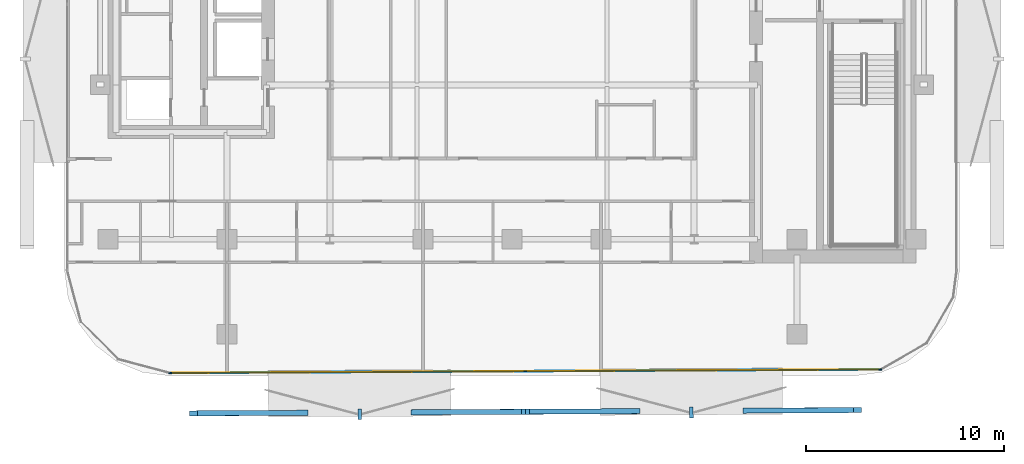
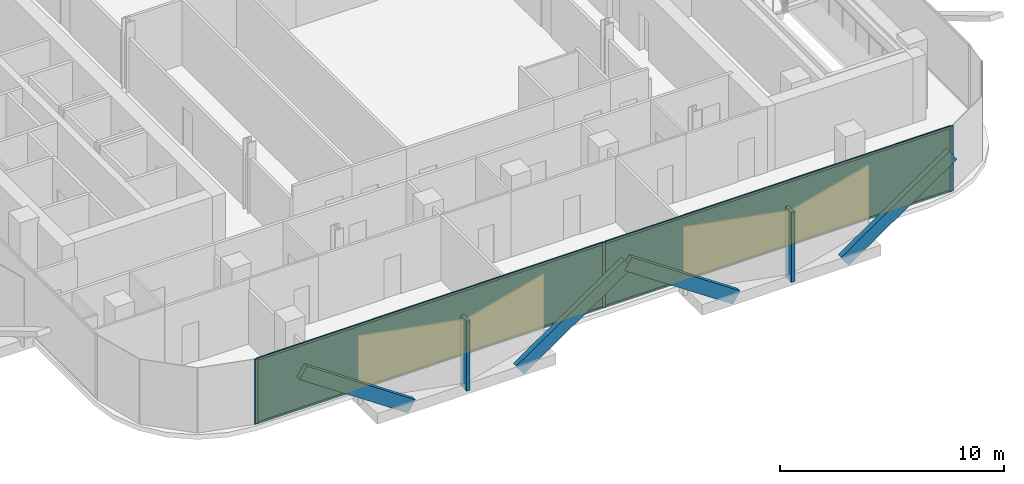
# One storey, part 9 of 17: 13 members, 2 plates, 1 curtain wall.
"""IFC4 building model written with IfcOpenShell, lengths in metres."""

from ifc_helpers import new_model, si_unit, direction, frame, frame_2d, origin, origin_2d, place, context, subcontext, project, spatial, rectangle, extrude, material, layer, layer_set, material_profile, profile_set, type_object, element, aggregate, save


model = new_model("IFC4")

# Units and contexts
model_context = context("Model", 3, precision=1e-05, world=origin(), true_north=direction((0.0, 1.0)))
body_context = subcontext(model_context, "Body", "Model", "MODEL_VIEW")
ifc_project = project(units=[si_unit("LENGTHUNIT", "METRE"), si_unit("AREAUNIT", "SQUARE_METRE"), si_unit("VOLUMEUNIT", "CUBIC_METRE"), si_unit("PLANEANGLEUNIT", "RADIAN"), si_unit("MASSUNIT", "GRAM", prefix="KILO")], contexts=[model_context])

# Member
ifc_material_1 = material(Name="Anodised Bronze Aluminium 6063-T6", Category="aluminium")
ifc_material_profile_1 = material_profile(ifc_material_1, rectangle(XDim=0.260009765625, YDim=0.699951171875, at=origin_2d()))
ifc_profile_set_1 = profile_set([ifc_material_profile_1], Name="Anodised Bronze Aluminium 6063-T6")
member_type_1 = type_object("IfcMemberType", Name="Bronze Diamond Solar-Screen Lattice Rib BDL-700", PredefinedType="MULLION", material=ifc_profile_set_1)
site_placement = place(None, origin())
building_placement = place(site_placement, origin())
storey_placement = place(building_placement, frame((0.0, 0.0, 180.199951171875)))
member_1_placement = place(storey_placement, frame((6.27001953125, -27.283935546875, -0.1298828125), z_axis=(-0.826888697943, -0.004082598107, 0.562350792305), x_axis=(-0.00768530149, 0.999962302626, -0.00404097366)))
member_1 = element("IfcMember", 1, at=member_1_placement, type_object=member_type_1, Name="L41 Bronze Diamond Solar Screen Lattice Rib 265A", PredefinedType="MULLION", context=body_context, shape_type="SweptSolid", body=[
    extrude(rectangle(XDim=0.260009765625, YDim=0.699951171875, at=origin_2d()), origin(), (0.0, 0.0, 1.0), 6.75732421875),
])

member_2_placement = place(storey_placement, frame((11.857666015625, -27.25634765625, -0.1298828125), z_axis=(0.826888819371, 0.004046469514, 0.562350874885), x_axis=(0.007641611663, -0.999962637455, -0.004040973385)))
member_2 = element("IfcMember", 2, at=member_2_placement, type_object=member_type_1, Name="L41 Bronze Diamond Solar Screen Lattice Rib 265B", PredefinedType="MULLION", context=body_context, shape_type="SweptSolid", body=[
    extrude(rectangle(XDim=0.260009765625, YDim=0.699951171875, at=origin_2d()), origin(), (0.0, 0.0, 1.0), 6.75732421875),
])

member_3_placement = place(storey_placement, frame((-10.4931640625, -27.366455078125, -0.1298828125), z_axis=(-0.826888697943, -0.004082598107, 0.562350792305), x_axis=(-0.00768530149, 0.999962302626, -0.00404097366)))
member_3 = element("IfcMember", 3, at=member_3_placement, type_object=member_type_1, Name="L41 Bronze Diamond Solar Screen Lattice Rib 266A", PredefinedType="MULLION", context=body_context, shape_type="SweptSolid", body=[
    extrude(rectangle(XDim=0.260009765625, YDim=0.699951171875, at=origin_2d()), origin(), (0.0, 0.0, 1.0), 6.75732421875),
])

member_4_placement = place(storey_placement, frame((-4.905517578125, -27.339111328125, -0.1298828125), z_axis=(0.82690012347, 0.004082476143, 0.562333992564), x_axis=(0.00768500369, -0.999962304689, -0.004041029491)))
member_4 = element("IfcMember", 4, at=member_4_placement, type_object=member_type_1, Name="L41 Bronze Diamond Solar Screen Lattice Rib 266B", PredefinedType="MULLION", context=body_context, shape_type="SweptSolid", body=[
    extrude(rectangle(XDim=0.260009765625, YDim=0.699951171875, at=origin_2d()), origin(), (0.0, 0.0, 1.0), 6.757568359375),
])

ifc_material_2 = material(Name="Anodised Bronze Aluminium 6063-T6", Category="aluminium")
ifc_material_profile_2 = material_profile(ifc_material_2, rectangle(XDim=0.179931640625, YDim=0.5400390625, at=origin_2d()))
ifc_profile_set_2 = profile_set([ifc_material_profile_2], Name="Anodised Bronze Aluminium 6063-T6")
member_type_2 = type_object("IfcMemberType", Name="Bronze Solar-Screen Vertical Fold Fin BSF-540", PredefinedType="MULLION", material=ifc_profile_set_2)
member_5_placement = place(storey_placement, frame((9.064208984375, -27.35009765625, -0.1298828125), z_axis=(0.0, 0.0, 1.0), x_axis=(-0.999988059021, -0.004886902454, 0.0)))
member_5 = element("IfcMember", 5, at=member_5_placement, type_object=member_type_2, Name="L41 Bronze Solar Screen Vertical Fin 265", PredefinedType="MULLION", context=body_context, shape_type="SweptSolid", body=[
    extrude(rectangle(XDim=0.179931640625, YDim=0.5400390625, at=origin_2d()), origin(), (0.0, 0.0, 1.0), 3.800048828125),
])

member_6_placement = place(storey_placement, frame((-7.698974609375, -27.432861328125, -0.1298828125), z_axis=(0.0, 0.0, 1.0), x_axis=(-0.999988059021, -0.004886902454, 0.0)))
member_6 = element("IfcMember", 6, at=member_6_placement, type_object=member_type_2, Name="L41 Bronze Solar Screen Vertical Fin 266", PredefinedType="MULLION", context=body_context, shape_type="SweptSolid", body=[
    extrude(rectangle(XDim=0.179931640625, YDim=0.5400390625, at=origin_2d()), origin(), (0.0, 0.0, 1.0), 3.800048828125),
])

ifc_material_3 = material(Name="Anodised Bronze Aluminium 6063-T6", Category="aluminium")
ifc_material_profile_3 = material_profile(ifc_material_3, rectangle(XDim=0.06005859375, YDim=0.1650390625, at=origin_2d()))
ifc_profile_set_3 = profile_set([ifc_material_profile_3], Name="Anodised Bronze Aluminium 6063-T6")
member_type_3 = type_object("IfcMemberType", Name="CW-Z3 Mullion 60x165", PredefinedType="MULLION", material=ifc_profile_set_3)
member_7_placement = place(storey_placement, frame((18.605224609375, -25.18310546875, 0.0), z_axis=(0.0, 0.0, 1.0), x_axis=(0.004926734175, -0.999987863572, 0.0)))
member_7 = element("IfcMember", 7, at=member_7_placement, type_object=member_type_3, Name="CW-Z3 mullion 1", PredefinedType="MULLION", context=body_context, shape_type="SweptSolid", body=[
    extrude(rectangle(XDim=0.06005859375, YDim=0.1650390625, at=origin_2d()), origin(), (0.0, 0.0, 1.0), 3.5400390625),
])

member_8_placement = place(storey_placement, frame((0.672119140625, -25.271484375, 0.0), z_axis=(0.0, 0.0, 1.0), x_axis=(0.004926734175, -0.999987863572, 0.0)))
member_8 = element("IfcMember", 8, at=member_8_placement, type_object=member_type_3, Name="CW-Z3 mullion 2", PredefinedType="MULLION", context=body_context, shape_type="SweptSolid", body=[
    extrude(rectangle(XDim=0.06005859375, YDim=0.1650390625, at=origin_2d()), origin(), (0.0, 0.0, 1.0), 3.5400390625),
])

member_9_placement = place(storey_placement, frame((-17.2607421875, -25.35986328125, 0.0), z_axis=(0.0, 0.0, 1.0), x_axis=(0.004926734175, -0.999987863572, 0.0)))
member_9 = element("IfcMember", 9, at=member_9_placement, type_object=member_type_3, Name="CW-Z3 mullion 3", PredefinedType="MULLION", context=body_context, shape_type="SweptSolid", body=[
    extrude(rectangle(XDim=0.06005859375, YDim=0.1650390625, at=origin_2d()), origin(), (0.0, 0.0, 1.0), 3.5400390625),
])

ifc_material_4 = material(Name="Anodised Bronze Aluminium 6063-T6", Category="aluminium")
ifc_material_profile_4 = material_profile(ifc_material_4, rectangle(XDim=0.06005859375, YDim=0.1298828125, at=origin_2d()))
ifc_profile_set_4 = profile_set([ifc_material_profile_4], Name="Anodised Bronze Aluminium 6063-T6")
member_type_4 = type_object("IfcMemberType", Name="CW-Z3 Transom 60x130", PredefinedType="USERDEFINED", material=ifc_profile_set_4)
member_10_placement = place(storey_placement, frame((18.5751953125, -25.183349609375, 0.030029296875), z_axis=(-0.999987909339, -0.0049174359, 0.0), x_axis=(0.0049174359, -0.999987909339, 0.0)))
member_10 = element("IfcMember", 10, at=member_10_placement, type_object=member_type_4, Name="CW-Z3 transom 1.1", ObjectType="TRANSOM", PredefinedType="USERDEFINED", context=body_context, shape_type="SweptSolid", body=[
    extrude(rectangle(XDim=0.06005859375, YDim=0.1298828125, at=origin_2d()), origin(), (0.0, 0.0, 1.0), 17.873291015625),
])

member_11_placement = place(storey_placement, frame((18.5751953125, -25.183349609375, 3.510009765625), z_axis=(-0.999987909339, -0.0049174359, 0.0), x_axis=(0.0049174359, -0.999987909339, 0.0)))
member_11 = element("IfcMember", 11, at=member_11_placement, type_object=member_type_4, Name="CW-Z3 transom 1.2", ObjectType="TRANSOM", PredefinedType="USERDEFINED", context=body_context, shape_type="SweptSolid", body=[
    extrude(rectangle(XDim=0.06005859375, YDim=0.1298828125, at=origin_2d()), origin(), (0.0, 0.0, 1.0), 17.873291015625),
])

member_12_placement = place(storey_placement, frame((0.64208984375, -25.271728515625, 0.030029296875), z_axis=(-0.999987909009, -0.00491750307, 0.0), x_axis=(0.00491750307, -0.999987909009, 0.0)))
member_12 = element("IfcMember", 12, at=member_12_placement, type_object=member_type_4, Name="CW-Z3 transom 2.1", ObjectType="TRANSOM", PredefinedType="USERDEFINED", context=body_context, shape_type="SweptSolid", body=[
    extrude(rectangle(XDim=0.06005859375, YDim=0.1298828125, at=origin_2d()), origin(), (0.0, 0.0, 1.0), 17.873046875),
])

member_13_placement = place(storey_placement, frame((0.64208984375, -25.271728515625, 3.510009765625), z_axis=(-0.999987909009, -0.00491750307, 0.0), x_axis=(0.00491750307, -0.999987909009, 0.0)))
member_13 = element("IfcMember", 13, at=member_13_placement, type_object=member_type_4, Name="CW-Z3 transom 2.2", ObjectType="TRANSOM", PredefinedType="USERDEFINED", context=body_context, shape_type="SweptSolid", body=[
    extrude(rectangle(XDim=0.06005859375, YDim=0.1298828125, at=origin_2d()), origin(), (0.0, 0.0, 1.0), 17.873046875),
])

# Plate
ifc_material_5 = material(Name="Low-E Solar Control Laminated Glass", Category="glass")
ifc_layer_1 = layer(ifc_material_5, 0.030029296875, Name="Low-E Solar Control Laminated Glass")
ifc_layer_set_1 = layer_set([ifc_layer_1], Name="Low-E Solar Control Laminated Glass")
plate_type = type_object("IfcPlateType", Name="CW-Z3 Low-E Double Glazed Panel 30mm", PredefinedType="CURTAIN_PANEL", material=ifc_layer_set_1)
plate_1_placement = place(storey_placement, frame((9.638671875, -25.227294921875, 0.06005859375), z_axis=(0.0, 0.0, 1.0), x_axis=(-0.999987863572, -0.004926734175, 0.0)))
plate_1 = element("IfcPlate", 14, at=plate_1_placement, type_object=plate_type, Name="CW-Z3 panel 1.1", PredefinedType="CURTAIN_PANEL", context=body_context, shape_type="SweptSolid", body=[
    extrude(rectangle(XDim=17.873291015625, YDim=0.030029296875, at=origin_2d()), origin(), (0.0, 0.0, 1.0), 3.419921875),
])

plate_2_placement = place(storey_placement, frame((-8.294189453125, -25.315673828125, 0.06005859375), z_axis=(0.0, 0.0, 1.0), x_axis=(-0.999987863572, -0.004926734175, 0.0)))
plate_2 = element("IfcPlate", 15, at=plate_2_placement, type_object=plate_type, Name="CW-Z3 panel 2.1", PredefinedType="CURTAIN_PANEL", context=body_context, shape_type="SweptSolid", body=[
    extrude(rectangle(XDim=17.873291015625, YDim=0.030029296875, at=origin_2d()), origin(), (0.0, 0.0, 1.0), 3.419921875),
])

# Site, building, storey
site = spatial("IfcSite", under=ifc_project, at=site_placement, CompositionType="ELEMENT")
building = spatial("IfcBuilding", under=site, at=building_placement, Name="Khairoan Windgate Tower", CompositionType="ELEMENT")
storey = spatial("IfcBuildingStorey", under=building, at=storey_placement, Name="L41", CompositionType="ELEMENT", Elevation=180.199951171875)

# Curtain wall
ifc_material_6 = material(Name="Anodised Bronze Aluminium 6063-T6", Category="aluminium")
ifc_layer_2 = layer(ifc_material_6, 0.1650390625, Name="Anodised Bronze Aluminium 6063-T6")
ifc_layer_set_2 = layer_set([ifc_layer_2], Name="Anodised Bronze Aluminium 6063-T6")
curtain_wall_type = type_object("IfcCurtainWallType", Name="Luxury Hotel Acoustic Curtain Wall CW-Z3", PredefinedType="NOTDEFINED", material=ifc_layer_set_2)
curtain_wall_placement = place(storey_placement, frame((18.63525390625, -25.18310546875, 0.0), z_axis=(0.0, 0.0, 1.0), x_axis=(-0.999987863321, -0.004926785053, 0.0)))
curtain_wall = element("IfcCurtainWall", 16, at=curtain_wall_placement, inside=storey, type_object=curtain_wall_type, Name="L41 Unitised Curtain Wall 1", PredefinedType="NOTDEFINED", context=body_context, shape_type="SweptSolid", body=[
    extrude(rectangle(XDim=35.926513671875, YDim=0.010009765625, at=frame_2d((17.96337890625, 0.0))), origin(), (0.0, 0.0, 1.0), 3.5400390625),
])

aggregate(curtain_wall, [member_7, member_8, member_9, member_10, member_11, plate_1, member_12, member_13, plate_2, member_1, member_2, member_5, member_3, member_4, member_6])

save(model, "model.ifc")
